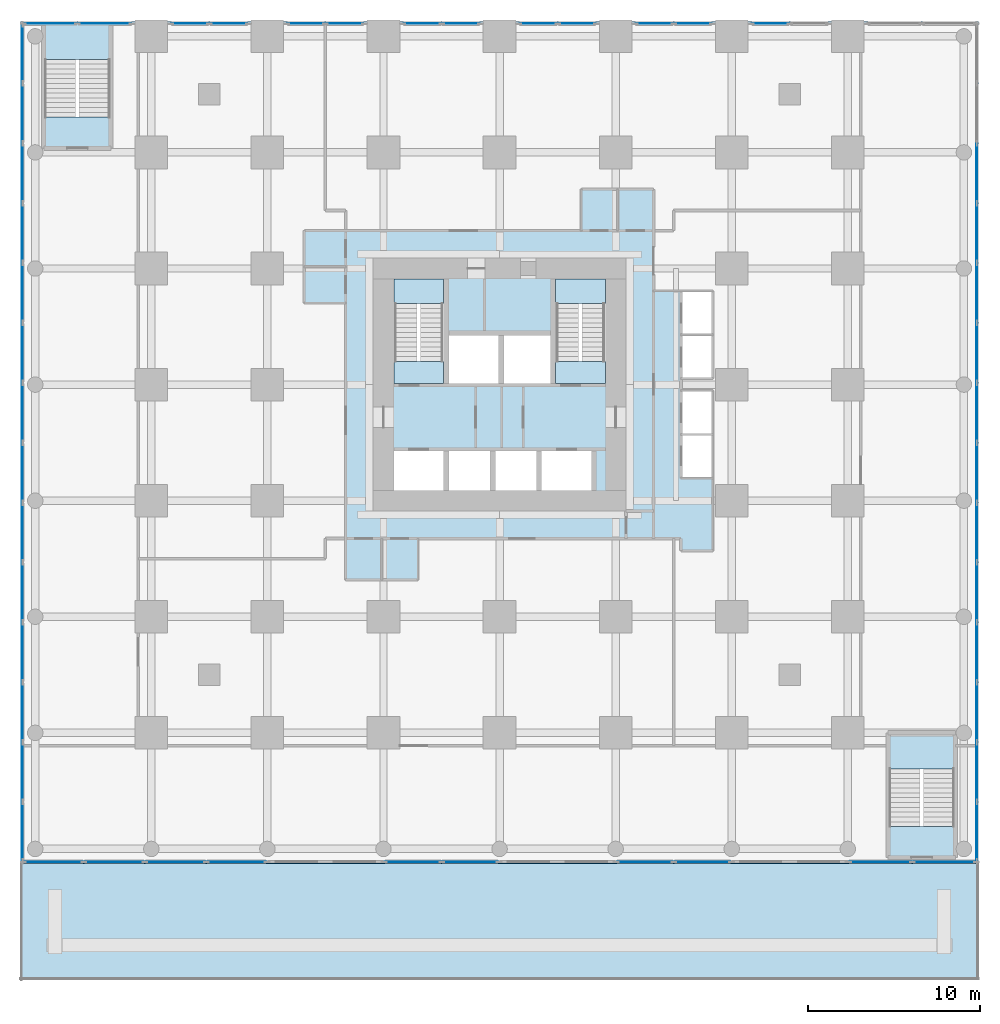
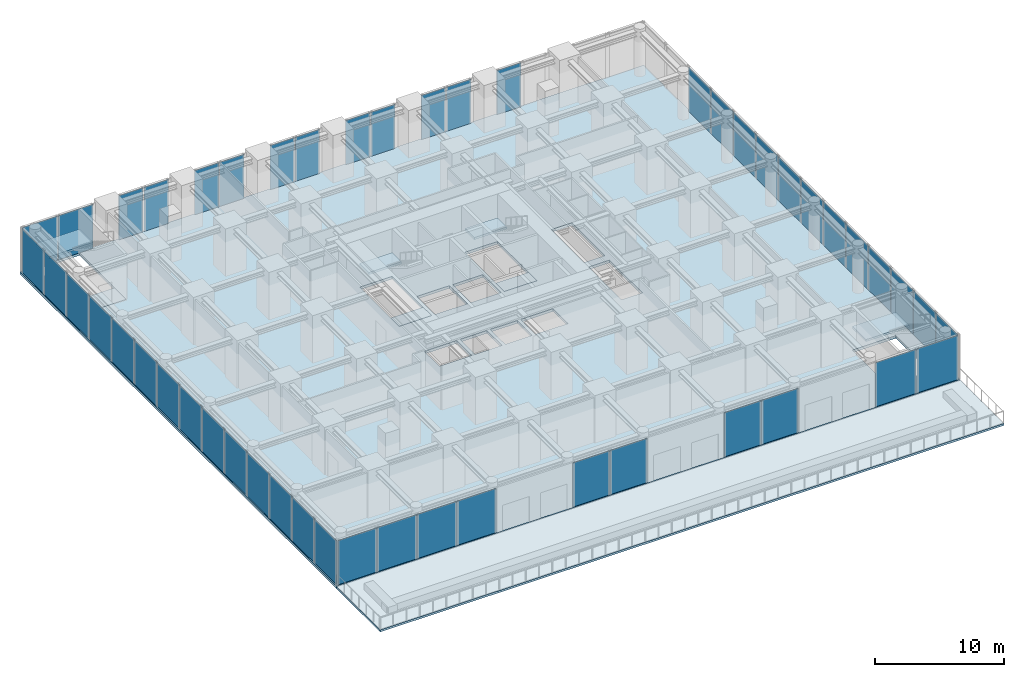
# One storey, part 6 of 10: 49 plates, 10 slabs, 17 elements without a shape of their own.
"""IFC4 building model written with IfcOpenShell, lengths in metres."""

from ifc_helpers import new_model, si_unit, direction, frame, origin, origin_2d, place, context, subcontext, project, spatial, polyline, rectangle, outline, extrude, material, layer, layer_set, type_object, element, aggregate, save


model = new_model("IFC4")

# Units and contexts
model_context = context("Model", 3, precision=1e-05, world=origin(), true_north=direction((0.0, 1.0)))
body_context = subcontext(model_context, "Body", "Model", "MODEL_VIEW")
ifc_project = project(units=[si_unit("LENGTHUNIT", "METRE"), si_unit("AREAUNIT", "SQUARE_METRE"), si_unit("VOLUMEUNIT", "CUBIC_METRE"), si_unit("PLANEANGLEUNIT", "RADIAN"), si_unit("MASSUNIT", "GRAM", prefix="KILO")], contexts=[model_context])

# Site, building, storey
site_placement = place(None, origin())
site = spatial("IfcSite", under=ifc_project, at=site_placement, CompositionType="ELEMENT")
building_placement = place(site_placement, origin())
building = spatial("IfcBuilding", under=site, at=building_placement, Name="Nyansa Garden Tower", CompositionType="ELEMENT")
storey_placement = place(building_placement, frame((0.0, 0.0, 9.0)))
storey = spatial("IfcBuildingStorey", under=building, at=storey_placement, Name="L02", CompositionType="ELEMENT", Elevation=9.0)

# Slab
ifc_material_1 = material(Name="Concrete C40/50", Category="concrete")
ifc_layer_1 = layer(ifc_material_1, 0.25)
ifc_layer_set_1 = layer_set([ifc_layer_1], Name="Floor slab FS250")
slab_type_1 = type_object("IfcSlabType", Name="Floor slab FS250", PredefinedType="FLOOR", material=ifc_layer_set_1)
slab_1_placement = place(storey_placement, frame((0.0, 0.0, -0.25)))
element("IfcSlab", 1, at=slab_1_placement, inside=storey, type_object=slab_type_1, Name="Floor slab L02", PredefinedType="FLOOR", context=body_context, shape_type="SweptSolid", body=[
    extrude(outline(polyline([(48.10009765625, -7.60009765625), (-7.60009765625, -7.60009765625), (-7.60009765625, 41.35009765625), (48.10009765625, 41.35009765625), (48.10009765625, -7.60009765625)]), holes=[polyline([(14.10009765625, 14.10009765625), (17.0, 14.10009765625), (17.0, 16.39990234375), (14.10009765625, 16.39990234375), (14.10009765625, 14.10009765625)]), polyline([(17.300048828125, 14.10009765625), (19.699951171875, 14.10009765625), (19.699951171875, 16.39990234375), (17.300048828125, 16.39990234375), (17.300048828125, 14.10009765625)]), polyline([(20.0, 14.10009765625), (22.39990234375, 14.10009765625), (22.39990234375, 16.39990234375), (20.0, 16.39990234375), (20.0, 14.10009765625)]), polyline([(22.699951171875, 14.10009765625), (25.60009765625, 14.10009765625), (25.60009765625, 16.39990234375), (22.699951171875, 16.39990234375), (22.699951171875, 14.10009765625)]), polyline([(17.300048828125, 20.300048828125), (20.199951171875, 20.300048828125), (20.199951171875, 23.10009765625), (17.300048828125, 23.10009765625), (17.300048828125, 20.300048828125)]), polyline([(20.5, 20.300048828125), (23.199951171875, 20.300048828125), (23.199951171875, 23.10009765625), (20.5, 23.10009765625), (20.5, 20.300048828125)]), polyline([(30.800048828125, 14.800048828125), (32.64990234375, 14.800048828125), (32.64990234375, 19.89990234375), (30.800048828125, 19.89990234375), (30.800048828125, 14.800048828125)]), polyline([(30.800048828125, 20.60009765625), (32.64990234375, 20.60009765625), (32.64990234375, 25.699951171875), (30.800048828125, 25.699951171875), (30.800048828125, 20.60009765625)]), polyline([(14.10009765625, 20.300048828125), (17.0, 20.300048828125), (17.0, 26.39990234375), (14.10009765625, 26.39990234375), (14.10009765625, 20.300048828125)]), polyline([(23.5, 20.300048828125), (26.39990234375, 20.300048828125), (26.39990234375, 26.39990234375), (23.5, 26.39990234375), (23.5, 20.300048828125)]), polyline([(-6.25, 34.0), (-2.35009765625, 34.0), (-2.35009765625, 41.25), (-6.25, 41.25), (-6.25, 34.0)]), polyline([(42.85009765625, -7.25), (46.75, -7.25), (46.75, 0.0), (42.85009765625, 0.0), (42.85009765625, -7.25)])]), origin(), (0.0, 0.0, 1.0), 0.25),
])

# Curtain wall, plates
ifc_material_2 = material(Name="Black anodised aluminium, clear double glazing", Category="aluminium")
curtain_wall_type = type_object("IfcCurtainWallType", Name="Podium curtain wall PCW", PredefinedType="USERDEFINED", material=ifc_material_2)
curtain_wall_1_placement = place(storey_placement, origin())
curtain_wall_1 = element("IfcCurtainWall", 2, at=curtain_wall_1_placement, inside=storey, type_object=curtain_wall_type, Name="Podium curtain wall L02 E", ObjectType="STICK CURTAIN WALL", PredefinedType="USERDEFINED")
ifc_material_3 = material(Name="Clear laminated double glazing", Category="glass")
ifc_layer_2 = layer(ifc_material_3, 0.0380859375)
ifc_layer_set_2 = layer_set([ifc_layer_2], Name="Podium vision panel VP-P")
plate_type = type_object("IfcPlateType", Name="Podium vision panel VP-P", PredefinedType="CURTAIN_PANEL", material=ifc_layer_set_2)
plate_1_placement = place(storey_placement, frame((48.0, -5.739013671875, 0.0), z_axis=(0.0, 0.0, 1.0), x_axis=(0.0, 1.0, 0.0)))
plate_1 = element("IfcPlate", 3, at=plate_1_placement, type_object=plate_type, Name="PCW panel 1", PredefinedType="CURTAIN_PANEL", context=body_context, shape_type="SweptSolid", body=[
    extrude(rectangle(XDim=3.362060546875, YDim=0.0380859375, at=origin_2d()), origin(), (0.0, 0.0, 1.0), 4.169921875),
])
plate_2_placement = place(storey_placement, frame((48.0, -2.27685546875, 0.0), z_axis=(0.0, 0.0, 1.0), x_axis=(0.0, 1.0, 0.0)))
plate_2 = element("IfcPlate", 4, at=plate_2_placement, type_object=plate_type, Name="PCW panel 2", PredefinedType="CURTAIN_PANEL", context=body_context, shape_type="SweptSolid", body=[
    extrude(rectangle(XDim=3.402099609375, YDim=0.0380859375, at=origin_2d()), origin(), (0.0, 0.0, 1.0), 4.169921875),
])
plate_3_placement = place(storey_placement, frame((48.0, 1.205322265625, 0.0), z_axis=(0.0, 0.0, 1.0), x_axis=(0.0, 1.0, 0.0)))
plate_3 = element("IfcPlate", 5, at=plate_3_placement, type_object=plate_type, Name="PCW panel 3", PredefinedType="CURTAIN_PANEL", context=body_context, shape_type="SweptSolid", body=[
    extrude(rectangle(XDim=3.402099609375, YDim=0.0380859375, at=origin_2d()), origin(), (0.0, 0.0, 1.0), 4.169921875),
])
plate_4_placement = place(storey_placement, frame((48.0, 4.6875, 0.0), z_axis=(0.0, 0.0, 1.0), x_axis=(0.0, 1.0, 0.0)))
plate_4 = element("IfcPlate", 6, at=plate_4_placement, type_object=plate_type, Name="PCW panel 4", PredefinedType="CURTAIN_PANEL", context=body_context, shape_type="SweptSolid", body=[
    extrude(rectangle(XDim=3.402099609375, YDim=0.0380859375, at=origin_2d()), origin(), (0.0, 0.0, 1.0), 4.169921875),
])
plate_5_placement = place(storey_placement, frame((48.0, 8.169677734375, 0.0), z_axis=(0.0, 0.0, 1.0), x_axis=(0.0, 1.0, 0.0)))
plate_5 = element("IfcPlate", 7, at=plate_5_placement, type_object=plate_type, Name="PCW panel 5", PredefinedType="CURTAIN_PANEL", context=body_context, shape_type="SweptSolid", body=[
    extrude(rectangle(XDim=3.402099609375, YDim=0.0380859375, at=origin_2d()), origin(), (0.0, 0.0, 1.0), 4.169921875),
])
plate_6_placement = place(storey_placement, frame((48.0, 11.65185546875, 0.0), z_axis=(0.0, 0.0, 1.0), x_axis=(0.0, 1.0, 0.0)))
plate_6 = element("IfcPlate", 8, at=plate_6_placement, type_object=plate_type, Name="PCW panel 6", PredefinedType="CURTAIN_PANEL", context=body_context, shape_type="SweptSolid", body=[
    extrude(rectangle(XDim=3.402099609375, YDim=0.0380859375, at=origin_2d()), origin(), (0.0, 0.0, 1.0), 4.169921875),
])
plate_7_placement = place(storey_placement, frame((48.0, 15.134033203125, 0.0), z_axis=(0.0, 0.0, 1.0), x_axis=(0.0, 1.0, 0.0)))
plate_7 = element("IfcPlate", 9, at=plate_7_placement, type_object=plate_type, Name="PCW panel 7", PredefinedType="CURTAIN_PANEL", context=body_context, shape_type="SweptSolid", body=[
    extrude(rectangle(XDim=3.402099609375, YDim=0.0380859375, at=origin_2d()), origin(), (0.0, 0.0, 1.0), 4.169921875),
])
plate_8_placement = place(storey_placement, frame((48.0, 18.615966796875, 0.0), z_axis=(0.0, 0.0, 1.0), x_axis=(0.0, 1.0, 0.0)))
plate_8 = element("IfcPlate", 10, at=plate_8_placement, type_object=plate_type, Name="PCW panel 8", PredefinedType="CURTAIN_PANEL", context=body_context, shape_type="SweptSolid", body=[
    extrude(rectangle(XDim=3.402099609375, YDim=0.0380859375, at=origin_2d()), origin(), (0.0, 0.0, 1.0), 4.169921875),
])
plate_9_placement = place(storey_placement, frame((48.0, 22.09814453125, 0.0), z_axis=(0.0, 0.0, 1.0), x_axis=(0.0, 1.0, 0.0)))
plate_9 = element("IfcPlate", 11, at=plate_9_placement, type_object=plate_type, Name="PCW panel 9", PredefinedType="CURTAIN_PANEL", context=body_context, shape_type="SweptSolid", body=[
    extrude(rectangle(XDim=3.402099609375, YDim=0.0380859375, at=origin_2d()), origin(), (0.0, 0.0, 1.0), 4.169921875),
])
plate_10_placement = place(storey_placement, frame((48.0, 25.580322265625, 0.0), z_axis=(0.0, 0.0, 1.0), x_axis=(0.0, 1.0, 0.0)))
plate_10 = element("IfcPlate", 12, at=plate_10_placement, type_object=plate_type, Name="PCW panel 10", PredefinedType="CURTAIN_PANEL", context=body_context, shape_type="SweptSolid", body=[
    extrude(rectangle(XDim=3.402099609375, YDim=0.0380859375, at=origin_2d()), origin(), (0.0, 0.0, 1.0), 4.169921875),
])
plate_11_placement = place(storey_placement, frame((48.0, 29.0625, 0.0), z_axis=(0.0, 0.0, 1.0), x_axis=(0.0, 1.0, 0.0)))
plate_11 = element("IfcPlate", 13, at=plate_11_placement, type_object=plate_type, Name="PCW panel 11", PredefinedType="CURTAIN_PANEL", context=body_context, shape_type="SweptSolid", body=[
    extrude(rectangle(XDim=3.402099609375, YDim=0.0380859375, at=origin_2d()), origin(), (0.0, 0.0, 1.0), 4.169921875),
])
plate_12_placement = place(storey_placement, frame((48.0, 32.544677734375, 0.0), z_axis=(0.0, 0.0, 1.0), x_axis=(0.0, 1.0, 0.0)))
plate_12 = element("IfcPlate", 14, at=plate_12_placement, type_object=plate_type, Name="PCW panel 12", PredefinedType="CURTAIN_PANEL", context=body_context, shape_type="SweptSolid", body=[
    extrude(rectangle(XDim=3.402099609375, YDim=0.0380859375, at=origin_2d()), origin(), (0.0, 0.0, 1.0), 4.169921875),
])
aggregate(curtain_wall_1, [plate_1, plate_2, plate_3, plate_4, plate_5, plate_6, plate_7, plate_8, plate_9, plate_10, plate_11, plate_12])

# Curtain wall, plate
curtain_wall_2_placement = place(storey_placement, origin())
curtain_wall_2 = element("IfcCurtainWall", 15, at=curtain_wall_2_placement, inside=storey, type_object=curtain_wall_type, Name="Podium curtain wall L02 N", ObjectType="STICK CURTAIN WALL", PredefinedType="USERDEFINED")
plate_13_placement = place(storey_placement, frame((36.0, 41.25, 0.0), z_axis=(0.0, 0.0, 1.0), x_axis=(-1.0, 0.0, 0.0)))
plate_13 = element("IfcPlate", 16, at=plate_13_placement, type_object=plate_type, Name="PCW panel 2", PredefinedType="CURTAIN_PANEL", context=body_context, shape_type="SweptSolid", body=[
    extrude(rectangle(XDim=2.169921875, YDim=0.0380859375, at=origin_2d()), origin(), (0.0, 0.0, 1.0), 4.169921875),
])
aggregate(curtain_wall_2, [plate_13])

# Curtain wall, plates
curtain_wall_3_placement = place(storey_placement, origin())
curtain_wall_3 = element("IfcCurtainWall", 17, at=curtain_wall_3_placement, inside=storey, type_object=curtain_wall_type, Name="Podium curtain wall L02 N", ObjectType="STICK CURTAIN WALL", PredefinedType="USERDEFINED")
plate_14_placement = place(storey_placement, frame((31.5, 41.25, 0.0), z_axis=(0.0, 0.0, 1.0), x_axis=(-1.0, 0.0, 0.0)))
plate_14 = element("IfcPlate", 18, at=plate_14_placement, type_object=plate_type, Name="PCW panel 1", PredefinedType="CURTAIN_PANEL", context=body_context, shape_type="SweptSolid", body=[
    extrude(rectangle(XDim=2.169921875, YDim=0.0380859375, at=origin_2d()), origin(), (0.0, 0.0, 1.0), 4.169921875),
])
plate_15_placement = place(storey_placement, frame((29.25, 41.25, 0.0), z_axis=(0.0, 0.0, 1.0), x_axis=(-1.0, 0.0, 0.0)))
plate_15 = element("IfcPlate", 19, at=plate_15_placement, type_object=plate_type, Name="PCW panel 2", PredefinedType="CURTAIN_PANEL", context=body_context, shape_type="SweptSolid", body=[
    extrude(rectangle(XDim=2.169921875, YDim=0.0380859375, at=origin_2d()), origin(), (0.0, 0.0, 1.0), 4.169921875),
])
aggregate(curtain_wall_3, [plate_14, plate_15])

curtain_wall_4_placement = place(storey_placement, origin())
curtain_wall_4 = element("IfcCurtainWall", 20, at=curtain_wall_4_placement, inside=storey, type_object=curtain_wall_type, Name="Podium curtain wall L02 N", ObjectType="STICK CURTAIN WALL", PredefinedType="USERDEFINED")
plate_16_placement = place(storey_placement, frame((24.75, 41.25, 0.0), z_axis=(0.0, 0.0, 1.0), x_axis=(-1.0, 0.0, 0.0)))
plate_16 = element("IfcPlate", 21, at=plate_16_placement, type_object=plate_type, Name="PCW panel 1", PredefinedType="CURTAIN_PANEL", context=body_context, shape_type="SweptSolid", body=[
    extrude(rectangle(XDim=2.169921875, YDim=0.0380859375, at=origin_2d()), origin(), (0.0, 0.0, 1.0), 4.169921875),
])
plate_17_placement = place(storey_placement, frame((22.5, 41.25, 0.0), z_axis=(0.0, 0.0, 1.0), x_axis=(-1.0, 0.0, 0.0)))
plate_17 = element("IfcPlate", 22, at=plate_17_placement, type_object=plate_type, Name="PCW panel 2", PredefinedType="CURTAIN_PANEL", context=body_context, shape_type="SweptSolid", body=[
    extrude(rectangle(XDim=2.169921875, YDim=0.0380859375, at=origin_2d()), origin(), (0.0, 0.0, 1.0), 4.169921875),
])
aggregate(curtain_wall_4, [plate_16, plate_17])

curtain_wall_5_placement = place(storey_placement, origin())
curtain_wall_5 = element("IfcCurtainWall", 23, at=curtain_wall_5_placement, inside=storey, type_object=curtain_wall_type, Name="Podium curtain wall L02 N", ObjectType="STICK CURTAIN WALL", PredefinedType="USERDEFINED")
plate_18_placement = place(storey_placement, frame((18.0, 41.25, 0.0), z_axis=(0.0, 0.0, 1.0), x_axis=(-1.0, 0.0, 0.0)))
plate_18 = element("IfcPlate", 24, at=plate_18_placement, type_object=plate_type, Name="PCW panel 1", PredefinedType="CURTAIN_PANEL", context=body_context, shape_type="SweptSolid", body=[
    extrude(rectangle(XDim=2.169921875, YDim=0.0380859375, at=origin_2d()), origin(), (0.0, 0.0, 1.0), 4.169921875),
])
plate_19_placement = place(storey_placement, frame((15.75, 41.25, 0.0), z_axis=(0.0, 0.0, 1.0), x_axis=(-1.0, 0.0, 0.0)))
plate_19 = element("IfcPlate", 25, at=plate_19_placement, type_object=plate_type, Name="PCW panel 2", PredefinedType="CURTAIN_PANEL", context=body_context, shape_type="SweptSolid", body=[
    extrude(rectangle(XDim=2.169921875, YDim=0.0380859375, at=origin_2d()), origin(), (0.0, 0.0, 1.0), 4.169921875),
])
aggregate(curtain_wall_5, [plate_18, plate_19])

curtain_wall_6_placement = place(storey_placement, origin())
curtain_wall_6 = element("IfcCurtainWall", 26, at=curtain_wall_6_placement, inside=storey, type_object=curtain_wall_type, Name="Podium curtain wall L02 N", ObjectType="STICK CURTAIN WALL", PredefinedType="USERDEFINED")
plate_20_placement = place(storey_placement, frame((11.25, 41.25, 0.0), z_axis=(0.0, 0.0, 1.0), x_axis=(-1.0, 0.0, 0.0)))
plate_20 = element("IfcPlate", 27, at=plate_20_placement, type_object=plate_type, Name="PCW panel 1", PredefinedType="CURTAIN_PANEL", context=body_context, shape_type="SweptSolid", body=[
    extrude(rectangle(XDim=2.169921875, YDim=0.0380859375, at=origin_2d()), origin(), (0.0, 0.0, 1.0), 4.169921875),
])
plate_21_placement = place(storey_placement, frame((9.0, 41.25, 0.0), z_axis=(0.0, 0.0, 1.0), x_axis=(-1.0, 0.0, 0.0)))
plate_21 = element("IfcPlate", 28, at=plate_21_placement, type_object=plate_type, Name="PCW panel 2", PredefinedType="CURTAIN_PANEL", context=body_context, shape_type="SweptSolid", body=[
    extrude(rectangle(XDim=2.169921875, YDim=0.0380859375, at=origin_2d()), origin(), (0.0, 0.0, 1.0), 4.169921875),
])
aggregate(curtain_wall_6, [plate_20, plate_21])

curtain_wall_7_placement = place(storey_placement, origin())
curtain_wall_7 = element("IfcCurtainWall", 29, at=curtain_wall_7_placement, inside=storey, type_object=curtain_wall_type, Name="Podium curtain wall L02 N", ObjectType="STICK CURTAIN WALL", PredefinedType="USERDEFINED")
plate_22_placement = place(storey_placement, frame((4.5, 41.25, 0.0), z_axis=(0.0, 0.0, 1.0), x_axis=(-1.0, 0.0, 0.0)))
plate_22 = element("IfcPlate", 30, at=plate_22_placement, type_object=plate_type, Name="PCW panel 1", PredefinedType="CURTAIN_PANEL", context=body_context, shape_type="SweptSolid", body=[
    extrude(rectangle(XDim=2.169921875, YDim=0.0380859375, at=origin_2d()), origin(), (0.0, 0.0, 1.0), 4.169921875),
])
plate_23_placement = place(storey_placement, frame((2.25, 41.25, 0.0), z_axis=(0.0, 0.0, 1.0), x_axis=(-1.0, 0.0, 0.0)))
plate_23 = element("IfcPlate", 31, at=plate_23_placement, type_object=plate_type, Name="PCW panel 2", PredefinedType="CURTAIN_PANEL", context=body_context, shape_type="SweptSolid", body=[
    extrude(rectangle(XDim=2.169921875, YDim=0.0380859375, at=origin_2d()), origin(), (0.0, 0.0, 1.0), 4.169921875),
])
aggregate(curtain_wall_7, [plate_22, plate_23])

curtain_wall_8_placement = place(storey_placement, origin())
curtain_wall_8 = element("IfcCurtainWall", 32, at=curtain_wall_8_placement, inside=storey, type_object=curtain_wall_type, Name="Podium curtain wall L02 N", ObjectType="STICK CURTAIN WALL", PredefinedType="USERDEFINED")
plate_24_placement = place(storey_placement, frame((-2.708740234375, 41.25, 0.0), z_axis=(0.0, 0.0, 1.0), x_axis=(-1.0, 0.0, 0.0)))
plate_24 = element("IfcPlate", 33, at=plate_24_placement, type_object=plate_type, Name="PCW panel 1", PredefinedType="CURTAIN_PANEL", context=body_context, shape_type="SweptSolid", body=[
    extrude(rectangle(XDim=3.08740234375, YDim=0.0380859375, at=origin_2d()), origin(), (0.0, 0.0, 1.0), 4.169921875),
])
plate_25_placement = place(storey_placement, frame((-5.876220703125, 41.25, 0.0), z_axis=(0.0, 0.0, 1.0), x_axis=(-1.0, 0.0, 0.0)))
plate_25 = element("IfcPlate", 34, at=plate_25_placement, type_object=plate_type, Name="PCW panel 2", PredefinedType="CURTAIN_PANEL", context=body_context, shape_type="SweptSolid", body=[
    extrude(rectangle(XDim=3.08740234375, YDim=0.0380859375, at=origin_2d()), origin(), (0.0, 0.0, 1.0), 4.169921875),
])
aggregate(curtain_wall_8, [plate_24, plate_25])

curtain_wall_9_placement = place(storey_placement, origin())
curtain_wall_9 = element("IfcCurtainWall", 35, at=curtain_wall_9_placement, inside=storey, type_object=curtain_wall_type, Name="Podium curtain wall L02 W", ObjectType="STICK CURTAIN WALL", PredefinedType="USERDEFINED")
plate_26_placement = place(storey_placement, frame((-7.5, 39.489013671875, 0.0), z_axis=(0.0, 0.0, 1.0), x_axis=(0.0, -1.0, 0.0)))
plate_26 = element("IfcPlate", 36, at=plate_26_placement, type_object=plate_type, Name="PCW panel 1", PredefinedType="CURTAIN_PANEL", context=body_context, shape_type="SweptSolid", body=[
    extrude(rectangle(XDim=3.362060546875, YDim=0.0380859375, at=origin_2d()), origin(), (0.0, 0.0, 1.0), 4.169921875),
])
plate_27_placement = place(storey_placement, frame((-7.5, 36.02685546875, 0.0), z_axis=(0.0, 0.0, 1.0), x_axis=(0.0, -1.0, 0.0)))
plate_27 = element("IfcPlate", 37, at=plate_27_placement, type_object=plate_type, Name="PCW panel 2", PredefinedType="CURTAIN_PANEL", context=body_context, shape_type="SweptSolid", body=[
    extrude(rectangle(XDim=3.402099609375, YDim=0.0380859375, at=origin_2d()), origin(), (0.0, 0.0, 1.0), 4.169921875),
])
plate_28_placement = place(storey_placement, frame((-7.5, 32.544677734375, 0.0), z_axis=(0.0, 0.0, 1.0), x_axis=(0.0, -1.0, 0.0)))
plate_28 = element("IfcPlate", 38, at=plate_28_placement, type_object=plate_type, Name="PCW panel 3", PredefinedType="CURTAIN_PANEL", context=body_context, shape_type="SweptSolid", body=[
    extrude(rectangle(XDim=3.402099609375, YDim=0.0380859375, at=origin_2d()), origin(), (0.0, 0.0, 1.0), 4.169921875),
])
plate_29_placement = place(storey_placement, frame((-7.5, 29.0625, 0.0), z_axis=(0.0, 0.0, 1.0), x_axis=(0.0, -1.0, 0.0)))
plate_29 = element("IfcPlate", 39, at=plate_29_placement, type_object=plate_type, Name="PCW panel 4", PredefinedType="CURTAIN_PANEL", context=body_context, shape_type="SweptSolid", body=[
    extrude(rectangle(XDim=3.402099609375, YDim=0.0380859375, at=origin_2d()), origin(), (0.0, 0.0, 1.0), 4.169921875),
])
plate_30_placement = place(storey_placement, frame((-7.5, 25.580322265625, 0.0), z_axis=(0.0, 0.0, 1.0), x_axis=(0.0, -1.0, 0.0)))
plate_30 = element("IfcPlate", 40, at=plate_30_placement, type_object=plate_type, Name="PCW panel 5", PredefinedType="CURTAIN_PANEL", context=body_context, shape_type="SweptSolid", body=[
    extrude(rectangle(XDim=3.402099609375, YDim=0.0380859375, at=origin_2d()), origin(), (0.0, 0.0, 1.0), 4.169921875),
])
plate_31_placement = place(storey_placement, frame((-7.5, 22.09814453125, 0.0), z_axis=(0.0, 0.0, 1.0), x_axis=(0.0, -1.0, 0.0)))
plate_31 = element("IfcPlate", 41, at=plate_31_placement, type_object=plate_type, Name="PCW panel 6", PredefinedType="CURTAIN_PANEL", context=body_context, shape_type="SweptSolid", body=[
    extrude(rectangle(XDim=3.402099609375, YDim=0.0380859375, at=origin_2d()), origin(), (0.0, 0.0, 1.0), 4.169921875),
])
plate_32_placement = place(storey_placement, frame((-7.5, 18.615966796875, 0.0), z_axis=(0.0, 0.0, 1.0), x_axis=(0.0, -1.0, 0.0)))
plate_32 = element("IfcPlate", 42, at=plate_32_placement, type_object=plate_type, Name="PCW panel 7", PredefinedType="CURTAIN_PANEL", context=body_context, shape_type="SweptSolid", body=[
    extrude(rectangle(XDim=3.402099609375, YDim=0.0380859375, at=origin_2d()), origin(), (0.0, 0.0, 1.0), 4.169921875),
])
plate_33_placement = place(storey_placement, frame((-7.5, 15.134033203125, 0.0), z_axis=(0.0, 0.0, 1.0), x_axis=(0.0, -1.0, 0.0)))
plate_33 = element("IfcPlate", 43, at=plate_33_placement, type_object=plate_type, Name="PCW panel 8", PredefinedType="CURTAIN_PANEL", context=body_context, shape_type="SweptSolid", body=[
    extrude(rectangle(XDim=3.402099609375, YDim=0.0380859375, at=origin_2d()), origin(), (0.0, 0.0, 1.0), 4.169921875),
])
plate_34_placement = place(storey_placement, frame((-7.5, 11.65185546875, 0.0), z_axis=(0.0, 0.0, 1.0), x_axis=(0.0, -1.0, 0.0)))
plate_34 = element("IfcPlate", 44, at=plate_34_placement, type_object=plate_type, Name="PCW panel 9", PredefinedType="CURTAIN_PANEL", context=body_context, shape_type="SweptSolid", body=[
    extrude(rectangle(XDim=3.402099609375, YDim=0.0380859375, at=origin_2d()), origin(), (0.0, 0.0, 1.0), 4.169921875),
])
plate_35_placement = place(storey_placement, frame((-7.5, 8.169677734375, 0.0), z_axis=(0.0, 0.0, 1.0), x_axis=(0.0, -1.0, 0.0)))
plate_35 = element("IfcPlate", 45, at=plate_35_placement, type_object=plate_type, Name="PCW panel 10", PredefinedType="CURTAIN_PANEL", context=body_context, shape_type="SweptSolid", body=[
    extrude(rectangle(XDim=3.402099609375, YDim=0.0380859375, at=origin_2d()), origin(), (0.0, 0.0, 1.0), 4.169921875),
])
plate_36_placement = place(storey_placement, frame((-7.5, 4.6875, 0.0), z_axis=(0.0, 0.0, 1.0), x_axis=(0.0, -1.0, 0.0)))
plate_36 = element("IfcPlate", 46, at=plate_36_placement, type_object=plate_type, Name="PCW panel 11", PredefinedType="CURTAIN_PANEL", context=body_context, shape_type="SweptSolid", body=[
    extrude(rectangle(XDim=3.402099609375, YDim=0.0380859375, at=origin_2d()), origin(), (0.0, 0.0, 1.0), 4.169921875),
])
plate_37_placement = place(storey_placement, frame((-7.5, 1.205322265625, 0.0), z_axis=(0.0, 0.0, 1.0), x_axis=(0.0, -1.0, 0.0)))
plate_37 = element("IfcPlate", 47, at=plate_37_placement, type_object=plate_type, Name="PCW panel 12", PredefinedType="CURTAIN_PANEL", context=body_context, shape_type="SweptSolid", body=[
    extrude(rectangle(XDim=3.402099609375, YDim=0.0380859375, at=origin_2d()), origin(), (0.0, 0.0, 1.0), 4.169921875),
])
plate_38_placement = place(storey_placement, frame((-7.5, -2.27685546875, 0.0), z_axis=(0.0, 0.0, 1.0), x_axis=(0.0, -1.0, 0.0)))
plate_38 = element("IfcPlate", 48, at=plate_38_placement, type_object=plate_type, Name="PCW panel 13", PredefinedType="CURTAIN_PANEL", context=body_context, shape_type="SweptSolid", body=[
    extrude(rectangle(XDim=3.402099609375, YDim=0.0380859375, at=origin_2d()), origin(), (0.0, 0.0, 1.0), 4.169921875),
])
plate_39_placement = place(storey_placement, frame((-7.5, -5.739013671875, 0.0), z_axis=(0.0, 0.0, 1.0), x_axis=(0.0, -1.0, 0.0)))
plate_39 = element("IfcPlate", 49, at=plate_39_placement, type_object=plate_type, Name="PCW panel 14", PredefinedType="CURTAIN_PANEL", context=body_context, shape_type="SweptSolid", body=[
    extrude(rectangle(XDim=3.362060546875, YDim=0.0380859375, at=origin_2d()), origin(), (0.0, 0.0, 1.0), 4.169921875),
])
aggregate(curtain_wall_9, [plate_26, plate_27, plate_28, plate_29, plate_30, plate_31, plate_32, plate_33, plate_34, plate_35, plate_36, plate_37, plate_38, plate_39])

curtain_wall_10_placement = place(storey_placement, origin())
curtain_wall_10 = element("IfcCurtainWall", 50, at=curtain_wall_10_placement, inside=storey, type_object=curtain_wall_type, Name="Podium curtain wall L02 S", ObjectType="STICK CURTAIN WALL", PredefinedType="USERDEFINED")
plate_40_placement = place(storey_placement, frame((-5.69873046875, -7.5, 0.0), z_axis=(0.0, 0.0, 1.0), x_axis=(1.0, 0.0, 0.0)))
plate_40 = element("IfcPlate", 51, at=plate_40_placement, type_object=plate_type, Name="PCW panel 1", PredefinedType="CURTAIN_PANEL", context=body_context, shape_type="SweptSolid", body=[
    extrude(rectangle(XDim=3.4423828125, YDim=0.0380859375, at=origin_2d()), origin(), (0.0, 0.0, 1.0), 4.169921875),
])
plate_41_placement = place(storey_placement, frame((-2.15625, -7.5, 0.0), z_axis=(0.0, 0.0, 1.0), x_axis=(1.0, 0.0, 0.0)))
plate_41 = element("IfcPlate", 52, at=plate_41_placement, type_object=plate_type, Name="PCW panel 2", PredefinedType="CURTAIN_PANEL", context=body_context, shape_type="SweptSolid", body=[
    extrude(rectangle(XDim=3.482421875, YDim=0.0380859375, at=origin_2d()), origin(), (0.0, 0.0, 1.0), 4.169921875),
])
plate_42_placement = place(storey_placement, frame((1.40625, -7.5, 0.0), z_axis=(0.0, 0.0, 1.0), x_axis=(1.0, 0.0, 0.0)))
plate_42 = element("IfcPlate", 53, at=plate_42_placement, type_object=plate_type, Name="PCW panel 3", PredefinedType="CURTAIN_PANEL", context=body_context, shape_type="SweptSolid", body=[
    extrude(rectangle(XDim=3.482421875, YDim=0.0380859375, at=origin_2d()), origin(), (0.0, 0.0, 1.0), 4.169921875),
])
plate_43_placement = place(storey_placement, frame((4.94873046875, -7.5, 0.0), z_axis=(0.0, 0.0, 1.0), x_axis=(1.0, 0.0, 0.0)))
plate_43 = element("IfcPlate", 54, at=plate_43_placement, type_object=plate_type, Name="PCW panel 4", PredefinedType="CURTAIN_PANEL", context=body_context, shape_type="SweptSolid", body=[
    extrude(rectangle(XDim=3.4423828125, YDim=0.0380859375, at=origin_2d()), origin(), (0.0, 0.0, 1.0), 4.169921875),
])
aggregate(curtain_wall_10, [plate_40, plate_41, plate_42, plate_43])

curtain_wall_11_placement = place(storey_placement, origin())
curtain_wall_11 = element("IfcCurtainWall", 55, at=curtain_wall_11_placement, inside=storey, type_object=curtain_wall_type, Name="Podium curtain wall L02 S", ObjectType="STICK CURTAIN WALL", PredefinedType="USERDEFINED")
plate_44_placement = place(storey_placement, frame((15.20751953125, -7.5, 0.0), z_axis=(0.0, 0.0, 1.0), x_axis=(1.0, 0.0, 0.0)))
plate_44 = element("IfcPlate", 56, at=plate_44_placement, type_object=plate_type, Name="PCW panel 1", PredefinedType="CURTAIN_PANEL", context=body_context, shape_type="SweptSolid", body=[
    extrude(rectangle(XDim=3.2548828125, YDim=0.0380859375, at=origin_2d()), origin(), (0.0, 0.0, 1.0), 4.169921875),
])
plate_45_placement = place(storey_placement, frame((18.54248046875, -7.5, 0.0), z_axis=(0.0, 0.0, 1.0), x_axis=(1.0, 0.0, 0.0)))
plate_45 = element("IfcPlate", 57, at=plate_45_placement, type_object=plate_type, Name="PCW panel 2", PredefinedType="CURTAIN_PANEL", context=body_context, shape_type="SweptSolid", body=[
    extrude(rectangle(XDim=3.2548828125, YDim=0.0380859375, at=origin_2d()), origin(), (0.0, 0.0, 1.0), 4.169921875),
])
aggregate(curtain_wall_11, [plate_44, plate_45])

curtain_wall_12_placement = place(storey_placement, origin())
curtain_wall_12 = element("IfcCurtainWall", 58, at=curtain_wall_12_placement, inside=storey, type_object=curtain_wall_type, Name="Podium curtain wall L02 S", ObjectType="STICK CURTAIN WALL", PredefinedType="USERDEFINED")
plate_46_placement = place(storey_placement, frame((28.70751953125, -7.5, 0.0), z_axis=(0.0, 0.0, 1.0), x_axis=(1.0, 0.0, 0.0)))
plate_46 = element("IfcPlate", 59, at=plate_46_placement, type_object=plate_type, Name="PCW panel 1", PredefinedType="CURTAIN_PANEL", context=body_context, shape_type="SweptSolid", body=[
    extrude(rectangle(XDim=3.2548828125, YDim=0.0380859375, at=origin_2d()), origin(), (0.0, 0.0, 1.0), 4.169921875),
])
plate_47_placement = place(storey_placement, frame((32.04248046875, -7.5, 0.0), z_axis=(0.0, 0.0, 1.0), x_axis=(1.0, 0.0, 0.0)))
plate_47 = element("IfcPlate", 60, at=plate_47_placement, type_object=plate_type, Name="PCW panel 2", PredefinedType="CURTAIN_PANEL", context=body_context, shape_type="SweptSolid", body=[
    extrude(rectangle(XDim=3.2548828125, YDim=0.0380859375, at=origin_2d()), origin(), (0.0, 0.0, 1.0), 4.169921875),
])
aggregate(curtain_wall_12, [plate_46, plate_47])

curtain_wall_13_placement = place(storey_placement, origin())
curtain_wall_13 = element("IfcCurtainWall", 61, at=curtain_wall_13_placement, inside=storey, type_object=curtain_wall_type, Name="Podium curtain wall L02 S", ObjectType="STICK CURTAIN WALL", PredefinedType="USERDEFINED")
plate_48_placement = place(storey_placement, frame((42.39501953125, -7.5, 0.0), z_axis=(0.0, 0.0, 1.0), x_axis=(1.0, 0.0, 0.0)))
plate_48 = element("IfcPlate", 62, at=plate_48_placement, type_object=plate_type, Name="PCW panel 1", PredefinedType="CURTAIN_PANEL", context=body_context, shape_type="SweptSolid", body=[
    extrude(rectangle(XDim=3.6298828125, YDim=0.0380859375, at=origin_2d()), origin(), (0.0, 0.0, 1.0), 4.169921875),
])
plate_49_placement = place(storey_placement, frame((46.10498046875, -7.5, 0.0), z_axis=(0.0, 0.0, 1.0), x_axis=(1.0, 0.0, 0.0)))
plate_49 = element("IfcPlate", 63, at=plate_49_placement, type_object=plate_type, Name="PCW panel 2", PredefinedType="CURTAIN_PANEL", context=body_context, shape_type="SweptSolid", body=[
    extrude(rectangle(XDim=3.6298828125, YDim=0.0380859375, at=origin_2d()), origin(), (0.0, 0.0, 1.0), 4.169921875),
])
aggregate(curtain_wall_13, [plate_48, plate_49])

# Stair, slabs
ifc_material_4 = material(Name="Precast concrete C40/50", Category="concrete")
stair_type_1 = type_object("IfcStairType", Name="Stair S1 173x280", PredefinedType="HALF_TURN_STAIR", material=ifc_material_4)
stair_1_placement = place(storey_placement, origin())
stair_1 = element("IfcStair", 64, at=stair_1_placement, inside=storey, type_object=stair_type_1, Name="Stair S1 L02", PredefinedType="HALF_TURN_STAIR")
ifc_material_5 = material(Name="Concrete C40/50", Category="concrete")
ifc_layer_3 = layer(ifc_material_5, 0.199951171875)
ifc_layer_set_3 = layer_set([ifc_layer_3], Name="Stair landing SL200")
slab_type_2 = type_object("IfcSlabType", Name="Stair landing SL200", PredefinedType="LANDING", material=ifc_layer_set_3)
slab_2_placement = place(storey_placement, frame((0.0, 0.0, -0.199951171875)))
slab_2 = element("IfcSlab", 65, at=slab_2_placement, type_object=slab_type_2, Name="S1 landing 1", PredefinedType="LANDING", context=body_context, shape_type="SweptSolid", body=[
    extrude(outline(polyline([(14.10009765625, 20.300048828125), (17.0, 20.300048828125), (17.0, 21.60009765625), (14.10009765625, 21.60009765625), (14.10009765625, 20.300048828125)])), origin(), (0.0, 0.0, 1.0), 0.199951171875),
])
slab_3_placement = place(storey_placement, frame((0.0, 0.0, 2.050048828125)))
slab_3 = element("IfcSlab", 66, at=slab_3_placement, type_object=slab_type_2, Name="S1 landing 2", PredefinedType="LANDING", context=body_context, shape_type="SweptSolid", body=[
    extrude(outline(polyline([(14.10009765625, 24.9599609375), (17.0, 24.9599609375), (17.0, 26.39990234375), (14.10009765625, 26.39990234375), (14.10009765625, 24.9599609375)])), origin(), (0.0, 0.0, 1.0), 0.199951171875),
])
aggregate(stair_1, [slab_2, slab_3])

ifc_material_6 = material(Name="Precast concrete C40/50", Category="concrete")
stair_type_2 = type_object("IfcStairType", Name="Stair S2 173x280", PredefinedType="HALF_TURN_STAIR", material=ifc_material_6)
stair_2_placement = place(storey_placement, origin())
stair_2 = element("IfcStair", 67, at=stair_2_placement, inside=storey, type_object=stair_type_2, Name="Stair S2 L02", PredefinedType="HALF_TURN_STAIR")
slab_4_placement = place(storey_placement, frame((0.0, 0.0, -0.199951171875)))
slab_4 = element("IfcSlab", 68, at=slab_4_placement, type_object=slab_type_2, Name="S2 landing 1", PredefinedType="LANDING", context=body_context, shape_type="SweptSolid", body=[
    extrude(outline(polyline([(23.5, 20.300048828125), (26.39990234375, 20.300048828125), (26.39990234375, 21.60009765625), (23.5, 21.60009765625), (23.5, 20.300048828125)])), origin(), (0.0, 0.0, 1.0), 0.199951171875),
])
slab_5_placement = place(storey_placement, frame((0.0, 0.0, 2.050048828125)))
slab_5 = element("IfcSlab", 69, at=slab_5_placement, type_object=slab_type_2, Name="S2 landing 2", PredefinedType="LANDING", context=body_context, shape_type="SweptSolid", body=[
    extrude(outline(polyline([(23.5, 24.9599609375), (26.39990234375, 24.9599609375), (26.39990234375, 26.39990234375), (23.5, 26.39990234375), (23.5, 24.9599609375)])), origin(), (0.0, 0.0, 1.0), 0.199951171875),
])
aggregate(stair_2, [slab_4, slab_5])

ifc_material_7 = material(Name="Precast concrete C40/50", Category="concrete")
stair_type_3 = type_object("IfcStairType", Name="Stair S3 173x280", PredefinedType="HALF_TURN_STAIR", material=ifc_material_7)
stair_3_placement = place(storey_placement, origin())
stair_3 = element("IfcStair", 70, at=stair_3_placement, inside=storey, type_object=stair_type_3, Name="Stair S3 L02", PredefinedType="HALF_TURN_STAIR")
slab_6_placement = place(storey_placement, frame((0.0, 0.0, -0.199951171875)))
slab_6 = element("IfcSlab", 71, at=slab_6_placement, type_object=slab_type_2, Name="S3 landing 1", PredefinedType="LANDING", context=body_context, shape_type="SweptSolid", body=[
    extrude(outline(polyline([(-6.25, 34.0), (-2.35009765625, 34.0), (-2.35009765625, 35.800048828125), (-6.25, 35.800048828125), (-6.25, 34.0)])), origin(), (0.0, 0.0, 1.0), 0.199951171875),
])
slab_7_placement = place(storey_placement, frame((0.0, 0.0, 2.050048828125)))
slab_7 = element("IfcSlab", 72, at=slab_7_placement, type_object=slab_type_2, Name="S3 landing 2", PredefinedType="LANDING", context=body_context, shape_type="SweptSolid", body=[
    extrude(outline(polyline([(-6.25, 39.159912109375), (-2.35009765625, 39.159912109375), (-2.35009765625, 41.25), (-6.25, 41.25), (-6.25, 39.159912109375)])), origin(), (0.0, 0.0, 1.0), 0.199951171875),
])
aggregate(stair_3, [slab_6, slab_7])

ifc_material_8 = material(Name="Precast concrete C40/50", Category="concrete")
stair_type_4 = type_object("IfcStairType", Name="Stair S4 173x280", PredefinedType="HALF_TURN_STAIR", material=ifc_material_8)
stair_4_placement = place(storey_placement, origin())
stair_4 = element("IfcStair", 73, at=stair_4_placement, inside=storey, type_object=stair_type_4, Name="Stair S4 L02", PredefinedType="HALF_TURN_STAIR")
slab_8_placement = place(storey_placement, frame((0.0, 0.0, -0.199951171875)))
slab_8 = element("IfcSlab", 74, at=slab_8_placement, type_object=slab_type_2, Name="S4 landing 1", PredefinedType="LANDING", context=body_context, shape_type="SweptSolid", body=[
    extrude(outline(polyline([(42.85009765625, -7.25), (46.75, -7.25), (46.75, -5.449951171875), (42.85009765625, -5.449951171875), (42.85009765625, -7.25)])), origin(), (0.0, 0.0, 1.0), 0.199951171875),
])
slab_9_placement = place(storey_placement, frame((0.0, 0.0, 2.050048828125)))
slab_9 = element("IfcSlab", 75, at=slab_9_placement, type_object=slab_type_2, Name="S4 landing 2", PredefinedType="LANDING", context=body_context, shape_type="SweptSolid", body=[
    extrude(outline(polyline([(42.85009765625, -2.090087890625), (46.75, -2.090087890625), (46.75, 0.0), (42.85009765625, 0.0), (42.85009765625, -2.090087890625)])), origin(), (0.0, 0.0, 1.0), 0.199951171875),
])
aggregate(stair_4, [slab_8, slab_9])

# Slab
ifc_material_9 = material(Name="Concrete C40/50, waterproofed to falls", Category="concrete")
ifc_layer_4 = layer(ifc_material_9, 0.18994140625)
ifc_layer_set_4 = layer_set([ifc_layer_4], Name="Terrace slab TS190")
slab_type_3 = type_object("IfcSlabType", Name="Terrace slab TS190", PredefinedType="ROOF", material=ifc_layer_set_4)
slab_10_placement = place(storey_placement, frame((0.0, 0.0, -0.25)))
element("IfcSlab", 76, at=slab_10_placement, inside=storey, type_object=slab_type_3, Name="Terrace L02", PredefinedType="ROOF", context=body_context, shape_type="SweptSolid", body=[
    extrude(outline(polyline([(-7.60009765625, -14.35009765625), (-7.60009765625, -7.60009765625), (48.10009765625, -7.60009765625), (48.10009765625, -14.35009765625), (-7.60009765625, -14.35009765625)])), origin(), (0.0, 0.0, 1.0), 0.18994140625),
])

save(model, "model.ifc")
